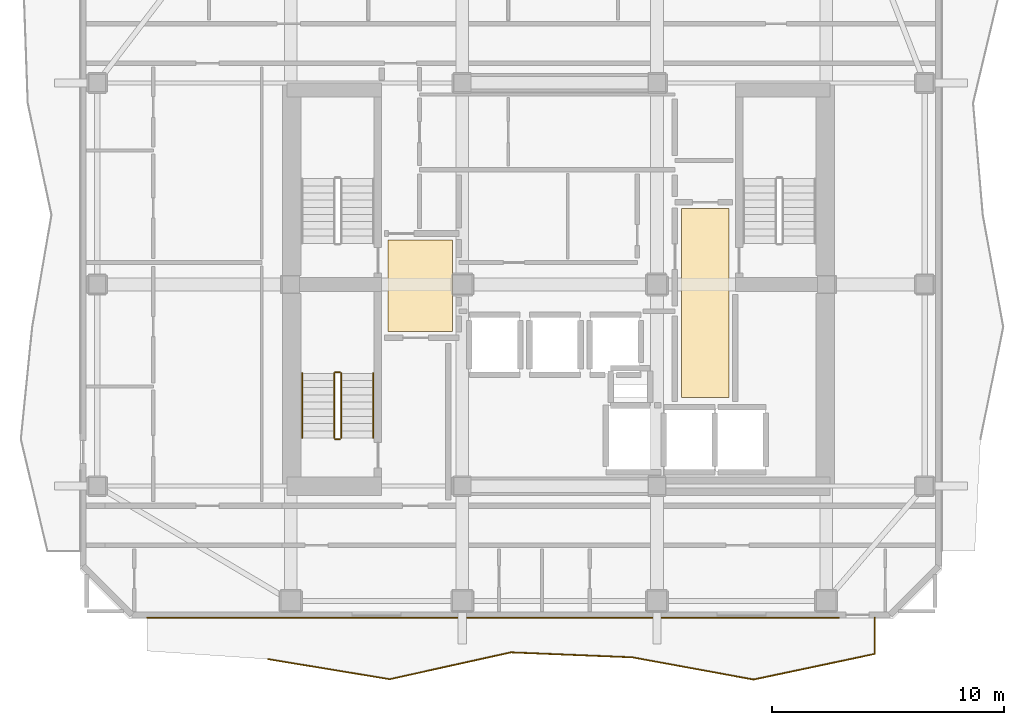
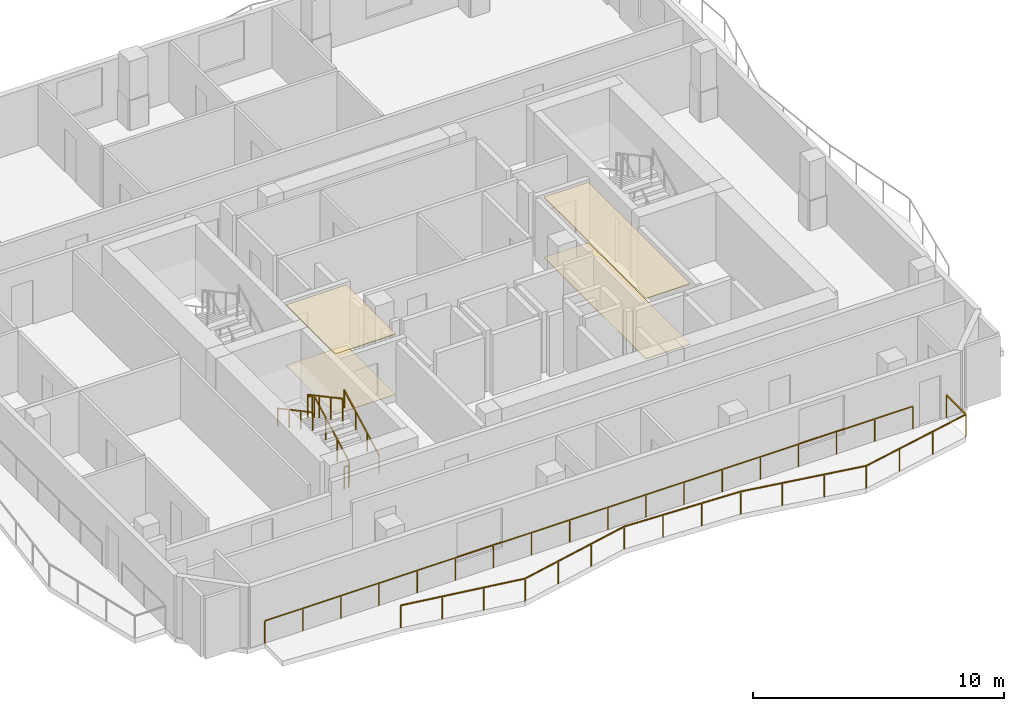
# One storey, part 7 of 10: 8 railings, 4 coverings.
"""IFC4 building model written with IfcOpenShell, lengths in metres."""

from ifc_helpers import new_model, si_unit, direction, frame, origin, origin_2d, place, context, subcontext, project, spatial, polyline, rectangle, outline, extrude, material, layer, layer_set, type_object, element, save


model = new_model("IFC4")

# Units and contexts
model_context = context("Model", 3, precision=1e-05, world=origin(), true_north=direction((0.0, 1.0)))
body_context = subcontext(model_context, "Body", "Model", "MODEL_VIEW")
ifc_project = project(units=[si_unit("LENGTHUNIT", "METRE"), si_unit("AREAUNIT", "SQUARE_METRE"), si_unit("VOLUMEUNIT", "CUBIC_METRE"), si_unit("PLANEANGLEUNIT", "RADIAN"), si_unit("MASSUNIT", "GRAM", prefix="KILO")], contexts=[model_context])

# Site, building, storey
site_placement = place(None, origin())
site = spatial("IfcSite", under=ifc_project, at=site_placement, CompositionType="ELEMENT")
building_placement = place(site_placement, origin())
building = spatial("IfcBuilding", under=site, at=building_placement, Name="Solanera Arch Residences", CompositionType="ELEMENT")
storey_placement = place(building_placement, frame((0.0, 0.0, 254.52001953125)))
storey = spatial("IfcBuildingStorey", under=building, at=storey_placement, Name="L74", CompositionType="ELEMENT", Elevation=254.52001953125)

# Railings
ifc_material_1 = material(Name="Steel S355 (ASTM A992 / A572 Grade 50)", Category="steel")
railing_type_1 = type_object("IfcRailingType", Name="Balustrade Railing BL-1100", PredefinedType="BALUSTRADE", material=ifc_material_1)
railing_1_placement = place(storey_placement, frame((12.43310546875, 14.534912109375, 0.0)))
element("IfcRailing", 1, at=railing_1_placement, inside=storey, type_object=railing_type_1, Name="L74 S Balcony Balustrade 1", PredefinedType="BALUSTRADE", context=body_context, shape_type="SweptSolid", body=[
    extrude(rectangle(XDim=0.048095703125, YDim=0.048095703125, at=origin_2d()), frame((0.0, 0.0, 1.09619140625), z_axis=(0.986616899293, -0.163055493712, 0.0), x_axis=(0.163055493712, 0.986616899293, 0.0)), (0.0, 0.0, 1.0), 5.304931640625),
    extrude(rectangle(XDim=0.048095703125, YDim=0.048095703125, at=origin_2d()), frame((5.23388671875, -0.864990234375, 1.09619140625), z_axis=(0.976380671542, 0.216057363307, 0.0), x_axis=(-0.216057363307, 0.976380671542, 0.0)), (0.0, 0.0, 1.0), 5.359619140625),
    extrude(rectangle(XDim=0.048095703125, YDim=0.048095703125, at=origin_2d()), frame((10.466796875, 0.29296875, 1.09619140625), z_axis=(0.999165958526, -0.040833654288, 0.0), x_axis=(0.040833654288, 0.999165958526, 0.0)), (0.0, 0.0, 1.0), 5.237548828125),
    extrude(rectangle(XDim=0.048095703125, YDim=0.048095703125, at=origin_2d()), frame((15.699951171875, 0.0791015625, 1.09619140625), z_axis=(0.983625269995, -0.180225770153, 0.0), x_axis=(0.180225770153, 0.983625269995, 0.0)), (0.0, 0.0, 1.0), 5.321044921875),
    extrude(rectangle(XDim=0.048095703125, YDim=0.048095703125, at=origin_2d()), frame((20.933837890625, -0.8798828125, 1.09619140625), z_axis=(0.978352724324, 0.206944308471, 0.0), x_axis=(-0.206944308471, 0.978352724324, 0.0)), (0.0, 0.0, 1.0), 5.348876953125),
    extrude(rectangle(XDim=0.048095703125, YDim=0.048095703125, at=origin_2d()), frame((26.1669921875, 0.22705078125, 1.09619140625), z_axis=(0.0, 1.0, 0.0), x_axis=(-1.0, 0.0, 0.0)), (0.0, 0.0, 1.0), 1.55810546875),
    extrude(rectangle(XDim=0.0419921875, YDim=0.0419921875, at=origin_2d()), origin(), (0.0, 0.0, 1.0), 1.072021484375),
    extrude(rectangle(XDim=0.0419921875, YDim=0.0419921875, at=origin_2d()), frame((1.74462890625, -0.288330078125, 0.0)), (0.0, 0.0, 1.0), 1.072021484375),
    extrude(rectangle(XDim=0.0419921875, YDim=0.0419921875, at=origin_2d()), frame((3.4892578125, -0.57666015625, 0.0)), (0.0, 0.0, 1.0), 1.072021484375),
    extrude(rectangle(XDim=0.0419921875, YDim=0.0419921875, at=origin_2d()), frame((5.23388671875, -0.864990234375, 0.0)), (0.0, 0.0, 1.0), 1.072021484375),
    extrude(rectangle(XDim=0.0419921875, YDim=0.0419921875, at=origin_2d()), frame((6.978271484375, -0.47900390625, 0.0)), (0.0, 0.0, 1.0), 1.072021484375),
    extrude(rectangle(XDim=0.0419921875, YDim=0.0419921875, at=origin_2d()), frame((8.722412109375, -0.093017578125, 0.0)), (0.0, 0.0, 1.0), 1.072021484375),
    extrude(rectangle(XDim=0.0419921875, YDim=0.0419921875, at=origin_2d()), frame((10.466796875, 0.29296875, 0.0)), (0.0, 0.0, 1.0), 1.072021484375),
    extrude(rectangle(XDim=0.0419921875, YDim=0.0419921875, at=origin_2d()), frame((12.211181640625, 0.2216796875, 0.0)), (0.0, 0.0, 1.0), 1.072021484375),
    extrude(rectangle(XDim=0.0419921875, YDim=0.0419921875, at=origin_2d()), frame((13.95556640625, 0.150390625, 0.0)), (0.0, 0.0, 1.0), 1.072021484375),
    extrude(rectangle(XDim=0.0419921875, YDim=0.0419921875, at=origin_2d()), frame((15.699951171875, 0.0791015625, 0.0)), (0.0, 0.0, 1.0), 1.072021484375),
    extrude(rectangle(XDim=0.0419921875, YDim=0.0419921875, at=origin_2d()), frame((17.444580078125, -0.240478515625, 0.0)), (0.0, 0.0, 1.0), 1.072021484375),
    extrude(rectangle(XDim=0.0419921875, YDim=0.0419921875, at=origin_2d()), frame((19.189208984375, -0.560302734375, 0.0)), (0.0, 0.0, 1.0), 1.072021484375),
    extrude(rectangle(XDim=0.0419921875, YDim=0.0419921875, at=origin_2d()), frame((20.933837890625, -0.8798828125, 0.0)), (0.0, 0.0, 1.0), 1.072021484375),
    extrude(rectangle(XDim=0.0419921875, YDim=0.0419921875, at=origin_2d()), frame((22.67822265625, -0.510986328125, 0.0)), (0.0, 0.0, 1.0), 1.072021484375),
    extrude(rectangle(XDim=0.0419921875, YDim=0.0419921875, at=origin_2d()), frame((24.422607421875, -0.141845703125, 0.0)), (0.0, 0.0, 1.0), 1.072021484375),
    extrude(rectangle(XDim=0.0419921875, YDim=0.0419921875, at=origin_2d()), frame((26.1669921875, 0.22705078125, 0.0)), (0.0, 0.0, 1.0), 1.072021484375),
    extrude(rectangle(XDim=0.0419921875, YDim=0.0419921875, at=origin_2d()), frame((26.1669921875, 1.78515625, 0.0)), (0.0, 0.0, 1.0), 1.072021484375),
])
railing_2_placement = place(storey_placement, frame((37.048095703125, 16.320068359375, 0.0)))
element("IfcRailing", 2, at=railing_2_placement, inside=storey, type_object=railing_type_1, Name="L74 S Balcony Balustrade 2", PredefinedType="BALUSTRADE", context=body_context, shape_type="SweptSolid", body=[
    extrude(rectangle(XDim=0.048095703125, YDim=0.048095703125, at=origin_2d()), frame((0.0, 0.0, 1.09619140625), z_axis=(-1.0, 0.0, 0.0), x_axis=(0.0, -1.0, 0.0)), (0.0, 0.0, 1.0), 29.84814453125),
    extrude(rectangle(XDim=0.0419921875, YDim=0.0419921875, at=origin_2d()), origin(), (0.0, 0.0, 1.0), 1.072021484375),
    extrude(rectangle(XDim=0.0419921875, YDim=0.0419921875, at=origin_2d()), frame((-1.755859375, 0.0, 0.0)), (0.0, 0.0, 1.0), 1.072021484375),
    extrude(rectangle(XDim=0.0419921875, YDim=0.0419921875, at=origin_2d()), frame((-3.511474609375, 0.0, 0.0)), (0.0, 0.0, 1.0), 1.072021484375),
    extrude(rectangle(XDim=0.0419921875, YDim=0.0419921875, at=origin_2d()), frame((-5.267333984375, 0.0, 0.0)), (0.0, 0.0, 1.0), 1.072021484375),
    extrude(rectangle(XDim=0.0419921875, YDim=0.0419921875, at=origin_2d()), frame((-7.023193359375, 0.0, 0.0)), (0.0, 0.0, 1.0), 1.072021484375),
    extrude(rectangle(XDim=0.0419921875, YDim=0.0419921875, at=origin_2d()), frame((-8.77880859375, 0.0, 0.0)), (0.0, 0.0, 1.0), 1.072021484375),
    extrude(rectangle(XDim=0.0419921875, YDim=0.0419921875, at=origin_2d()), frame((-10.53466796875, 0.0, 0.0)), (0.0, 0.0, 1.0), 1.072021484375),
    extrude(rectangle(XDim=0.0419921875, YDim=0.0419921875, at=origin_2d()), frame((-12.29052734375, 0.0, 0.0)), (0.0, 0.0, 1.0), 1.072021484375),
    extrude(rectangle(XDim=0.0419921875, YDim=0.0419921875, at=origin_2d()), frame((-14.046142578125, 0.0, 0.0)), (0.0, 0.0, 1.0), 1.072021484375),
    extrude(rectangle(XDim=0.0419921875, YDim=0.0419921875, at=origin_2d()), frame((-15.802001953125, 0.0, 0.0)), (0.0, 0.0, 1.0), 1.072021484375),
    extrude(rectangle(XDim=0.0419921875, YDim=0.0419921875, at=origin_2d()), frame((-17.5576171875, 0.0, 0.0)), (0.0, 0.0, 1.0), 1.072021484375),
    extrude(rectangle(XDim=0.0419921875, YDim=0.0419921875, at=origin_2d()), frame((-19.3134765625, 0.0, 0.0)), (0.0, 0.0, 1.0), 1.072021484375),
    extrude(rectangle(XDim=0.0419921875, YDim=0.0419921875, at=origin_2d()), frame((-21.0693359375, 0.0, 0.0)), (0.0, 0.0, 1.0), 1.072021484375),
    extrude(rectangle(XDim=0.0419921875, YDim=0.0419921875, at=origin_2d()), frame((-22.824951171875, 0.0, 0.0)), (0.0, 0.0, 1.0), 1.072021484375),
    extrude(rectangle(XDim=0.0419921875, YDim=0.0419921875, at=origin_2d()), frame((-24.580810546875, 0.0, 0.0)), (0.0, 0.0, 1.0), 1.072021484375),
    extrude(rectangle(XDim=0.0419921875, YDim=0.0419921875, at=origin_2d()), frame((-26.336669921875, 0.0, 0.0)), (0.0, 0.0, 1.0), 1.072021484375),
    extrude(rectangle(XDim=0.0419921875, YDim=0.0419921875, at=origin_2d()), frame((-28.09228515625, 0.0, 0.0)), (0.0, 0.0, 1.0), 1.072021484375),
    extrude(rectangle(XDim=0.0419921875, YDim=0.0419921875, at=origin_2d()), frame((-29.84814453125, 0.0, 0.0)), (0.0, 0.0, 1.0), 1.072021484375),
])

# Coverings
ifc_material_2 = material(Name="Porcelain Acoustic Floor Tile", Category="ceramic")
ifc_layer_1 = layer(ifc_material_2, 0.02001953125)
ifc_layer_set_1 = layer_set([ifc_layer_1], Name="Porcelain Acoustic Floor Tile")
covering_type_1 = type_object("IfcCoveringType", Name="Porcelain Acoustic Floor Finish FLR-20", PredefinedType="FLOORING", material=ifc_layer_set_1)
covering_1_placement = place(storey_placement, origin())
element("IfcCovering", 3, at=covering_1_placement, inside=storey, type_object=covering_type_1, Name="L74-FFL-W Porcelain Floor Finish", PredefinedType="FLOORING", context=body_context, shape_type="SweptSolid", body=[
    extrude(outline(polyline([(20.375, 28.675048828125), (17.594970703125, 28.675048828125), (17.594970703125, 32.625), (20.375, 32.625), (20.375, 28.675048828125)])), origin(), (0.0, 0.0, 1.0), 0.02001953125),
])
covering_2_placement = place(storey_placement, origin())
element("IfcCovering", 4, at=covering_2_placement, inside=storey, type_object=covering_type_1, Name="L74-FFL-E Porcelain Floor Finish", PredefinedType="FLOORING", context=body_context, shape_type="SweptSolid", body=[
    extrude(outline(polyline([(32.304931640625, 25.824951171875), (30.25, 25.824951171875), (30.25, 33.97509765625), (32.304931640625, 33.97509765625), (32.304931640625, 25.824951171875)])), origin(), (0.0, 0.0, 1.0), 0.02001953125),
])

# Railings
ifc_material_3 = material(Name="Steel S355 (ASTM A992 / A572 Grade 50)", Category="steel")
railing_type_2 = type_object("IfcRailingType", Name="Stair Guardrail GR-1100", PredefinedType="GUARDRAIL", material=ifc_material_3)
railing_3_placement = place(storey_placement, frame((15.570068359375, 24.080078125, 0.15087890625)))
element("IfcRailing", 5, at=railing_3_placement, inside=storey, type_object=railing_type_2, Name="L74 ST-T3 stair guard 1", PredefinedType="GUARDRAIL", context=body_context, shape_type="SweptSolid", body=[
    extrude(rectangle(XDim=0.048095703125, YDim=0.048095703125, at=origin_2d()), frame((0.0, 0.0, 1.076171875), z_axis=(0.0, 0.881548766853, 0.472092969298), x_axis=(-1.0, 0.0, 0.0)), (0.0, 0.0, 1.0), 3.1650390625),
    extrude(rectangle(XDim=0.0419921875, YDim=0.0419921875, at=origin_2d()), origin(), (0.0, 0.0, 1.0), 1.052001953125),
    extrude(rectangle(XDim=0.0419921875, YDim=0.0419921875, at=origin_2d()), frame((0.0, 0.929931640625, 0.498046875)), (0.0, 0.0, 1.0), 1.052001953125),
    extrude(rectangle(XDim=0.0419921875, YDim=0.0419921875, at=origin_2d()), frame((0.0, 1.860107421875, 0.99609375)), (0.0, 0.0, 1.0), 1.052001953125),
    extrude(rectangle(XDim=0.0419921875, YDim=0.0419921875, at=origin_2d()), frame((0.0, 2.7900390625, 1.494140625)), (0.0, 0.0, 1.0), 1.052001953125),
])
railing_4_placement = place(storey_placement, frame((15.52001953125, 26.919921875, 1.64501953125)))
element("IfcRailing", 6, at=railing_4_placement, inside=storey, type_object=railing_type_2, Name="L74 ST-T3 stair guard 2", PredefinedType="GUARDRAIL", context=body_context, shape_type="SweptSolid", body=[
    extrude(rectangle(XDim=0.048095703125, YDim=0.048095703125, at=origin_2d()), frame((0.0, 0.0, 1.076171875), z_axis=(-1.0, 0.0, 0.0), x_axis=(0.0, -1.0, 0.0)), (0.0, 0.0, 1.0), 0.199951171875),
    extrude(rectangle(XDim=0.0419921875, YDim=0.0419921875, at=origin_2d()), origin(), (0.0, 0.0, 1.0), 1.052001953125),
    extrude(rectangle(XDim=0.0419921875, YDim=0.0419921875, at=origin_2d()), frame((-0.199951171875, 0.0, 0.0)), (0.0, 0.0, 1.0), 1.052001953125),
])
railing_5_placement = place(storey_placement, frame((15.27001953125, 26.8701171875, 1.81103515625)))
element("IfcRailing", 7, at=railing_5_placement, inside=storey, type_object=railing_type_2, Name="L74 ST-T3 stair guard 3", PredefinedType="GUARDRAIL", context=body_context, shape_type="SweptSolid", body=[
    extrude(rectangle(XDim=0.048095703125, YDim=0.048095703125, at=origin_2d()), frame((0.0, 0.0, 1.076171875), z_axis=(0.0, -0.881580869306, 0.472033018838), x_axis=(1.0, 0.0, 0.0)), (0.0, 0.0, 1.0), 3.164794921875),
    extrude(rectangle(XDim=0.0419921875, YDim=0.0419921875, at=origin_2d()), origin(), (0.0, 0.0, 1.0), 1.052001953125),
    extrude(rectangle(XDim=0.0419921875, YDim=0.0419921875, at=origin_2d()), frame((0.0, -0.929931640625, 0.498046875)), (0.0, 0.0, 1.0), 1.052001953125),
    extrude(rectangle(XDim=0.0419921875, YDim=0.0419921875, at=origin_2d()), frame((0.0, -1.860107421875, 0.995849609375)), (0.0, 0.0, 1.0), 1.052001953125),
    extrude(rectangle(XDim=0.0419921875, YDim=0.0419921875, at=origin_2d()), frame((0.0, -2.7900390625, 1.493896484375)), (0.0, 0.0, 1.0), 1.052001953125),
])
railing_6_placement = place(storey_placement, frame((15.52001953125, 24.030029296875, -0.01513671875)))
element("IfcRailing", 8, at=railing_6_placement, inside=storey, type_object=railing_type_2, Name="L74 ST-T3 stair guard 4", PredefinedType="GUARDRAIL", context=body_context, shape_type="SweptSolid", body=[
    extrude(rectangle(XDim=0.048095703125, YDim=0.048095703125, at=origin_2d()), frame((0.0, 0.0, 1.076171875), z_axis=(-1.0, 0.0, 0.0), x_axis=(0.0, -1.0, 0.0)), (0.0, 0.0, 1.0), 0.199951171875),
    extrude(rectangle(XDim=0.0419921875, YDim=0.0419921875, at=origin_2d()), origin(), (0.0, 0.0, 1.0), 1.052001953125),
    extrude(rectangle(XDim=0.0419921875, YDim=0.0419921875, at=origin_2d()), frame((-0.199951171875, 0.0, 0.0)), (0.0, 0.0, 1.0), 1.052001953125),
])
ifc_material_4 = material(Name="Steel S355 (ASTM A992 / A572 Grade 50)", Category="steel")
railing_type_3 = type_object("IfcRailingType", Name="Stair Wall Handrail HR-920", PredefinedType="HANDRAIL", material=ifc_material_4)
railing_7_placement = place(storey_placement, frame((16.949951171875, 24.080078125, 0.166015625)))
element("IfcRailing", 9, at=railing_7_placement, inside=storey, type_object=railing_type_3, Name="L74 ST-T3 stair handrail 1", PredefinedType="HANDRAIL", context=body_context, shape_type="SweptSolid", body=[
    extrude(rectangle(XDim=0.048095703125, YDim=0.048095703125, at=origin_2d()), frame((0.0, 0.0, 0.8759765625), z_axis=(0.0, 0.881580869306, 0.472033018838), x_axis=(-1.0, 0.0, 0.0)), (0.0, 0.0, 1.0), 3.164794921875),
    extrude(rectangle(XDim=0.0419921875, YDim=0.0419921875, at=origin_2d()), origin(), (0.0, 0.0, 1.0), 0.851806640625),
    extrude(rectangle(XDim=0.0419921875, YDim=0.0419921875, at=origin_2d()), frame((0.0, 0.929931640625, 0.498046875)), (0.0, 0.0, 1.0), 0.851806640625),
    extrude(rectangle(XDim=0.0419921875, YDim=0.0419921875, at=origin_2d()), frame((0.0, 1.860107421875, 0.995849609375)), (0.0, 0.0, 1.0), 0.851806640625),
    extrude(rectangle(XDim=0.0419921875, YDim=0.0419921875, at=origin_2d()), frame((0.0, 2.7900390625, 1.493896484375)), (0.0, 0.0, 1.0), 0.851806640625),
])
railing_8_placement = place(storey_placement, frame((13.889892578125, 26.8701171875, 1.825927734375)))
element("IfcRailing", 10, at=railing_8_placement, inside=storey, type_object=railing_type_3, Name="L74 ST-T3 stair handrail 2", PredefinedType="HANDRAIL", context=body_context, shape_type="SweptSolid", body=[
    extrude(rectangle(XDim=0.048095703125, YDim=0.048095703125, at=origin_2d()), frame((0.0, 0.0, 0.8759765625), z_axis=(0.0, -0.881548766853, 0.472092969298), x_axis=(1.0, 0.0, 0.0)), (0.0, 0.0, 1.0), 3.1650390625),
    extrude(rectangle(XDim=0.0419921875, YDim=0.0419921875, at=origin_2d()), origin(), (0.0, 0.0, 1.0), 0.851806640625),
    extrude(rectangle(XDim=0.0419921875, YDim=0.0419921875, at=origin_2d()), frame((0.0, -0.929931640625, 0.498046875)), (0.0, 0.0, 1.0), 0.851806640625),
    extrude(rectangle(XDim=0.0419921875, YDim=0.0419921875, at=origin_2d()), frame((0.0, -1.860107421875, 0.99609375)), (0.0, 0.0, 1.0), 0.851806640625),
    extrude(rectangle(XDim=0.0419921875, YDim=0.0419921875, at=origin_2d()), frame((0.0, -2.7900390625, 1.494140625)), (0.0, 0.0, 1.0), 0.851806640625),
])

# Coverings
ifc_material_5 = material(Name="Mineral Fibre Acoustic Ceiling Board", Category="gypsum")
ifc_layer_2 = layer(ifc_material_5, 0.02490234375)
ifc_layer_set_2 = layer_set([ifc_layer_2], Name="Mineral Fibre Acoustic Ceiling Board")
covering_type_2 = type_object("IfcCoveringType", Name="Suspended Acoustic Ceiling Board CLG-25", PredefinedType="CEILING", material=ifc_layer_set_2)
covering_3_placement = place(storey_placement, frame((0.0, 0.0, 2.93505859375)))
element("IfcCovering", 11, at=covering_3_placement, inside=storey, type_object=covering_type_2, Name="L74-FFL-W Acoustic Ceiling", PredefinedType="CEILING", context=body_context, shape_type="SweptSolid", body=[
    extrude(outline(polyline([(20.375, 28.675048828125), (17.594970703125, 28.675048828125), (17.594970703125, 32.625), (20.375, 32.625), (20.375, 28.675048828125)])), origin(), (0.0, 0.0, 1.0), 0.02490234375),
])
covering_4_placement = place(storey_placement, frame((0.0, 0.0, 2.93505859375)))
element("IfcCovering", 12, at=covering_4_placement, inside=storey, type_object=covering_type_2, Name="L74-FFL-E Acoustic Ceiling", PredefinedType="CEILING", context=body_context, shape_type="SweptSolid", body=[
    extrude(outline(polyline([(32.304931640625, 25.824951171875), (30.25, 25.824951171875), (30.25, 33.97509765625), (32.304931640625, 33.97509765625), (32.304931640625, 25.824951171875)])), origin(), (0.0, 0.0, 1.0), 0.02490234375),
])

save(model, "model.ifc")
